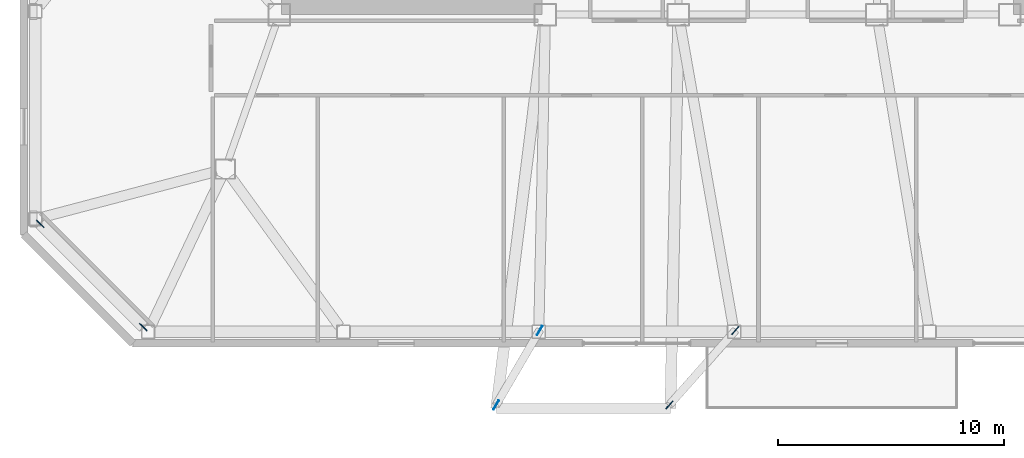
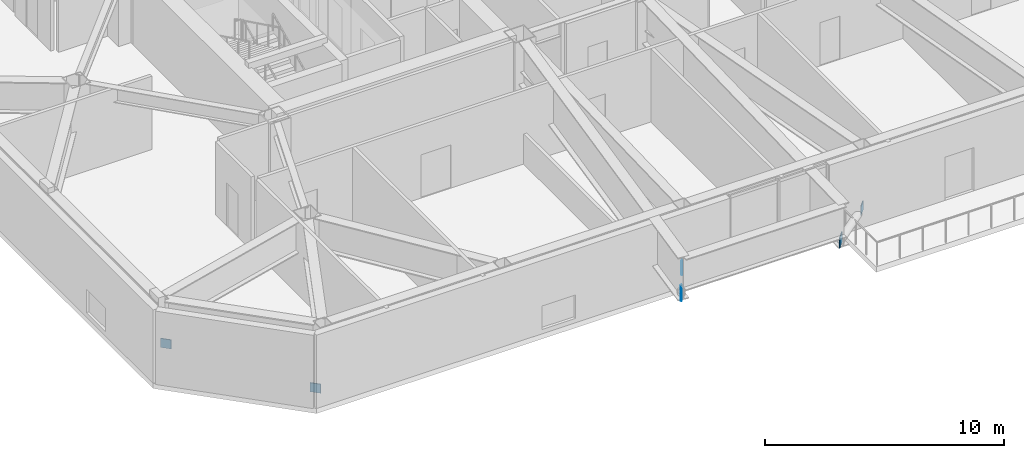
# One storey, part 14 of 18: 6 discrete accessories.
"""IFC4 building model written with IfcOpenShell, lengths in metres."""

from ifc_helpers import new_model, si_unit, direction, frame, origin, origin_2d, place, context, subcontext, project, spatial, rectangle, extrude, material, type_object, element, save


model = new_model("IFC4")

# Units and contexts
model_context = context("Model", 3, precision=1e-05, world=origin(), true_north=direction((0.0, 1.0)))
body_context = subcontext(model_context, "Body", "Model", "MODEL_VIEW")
ifc_project = project(units=[si_unit("LENGTHUNIT", "METRE"), si_unit("AREAUNIT", "SQUARE_METRE"), si_unit("VOLUMEUNIT", "CUBIC_METRE"), si_unit("PLANEANGLEUNIT", "RADIAN"), si_unit("MASSUNIT", "GRAM", prefix="KILO")], contexts=[model_context])

# Site, building, storey
site_placement = place(None, origin())
site = spatial("IfcSite", under=ifc_project, at=site_placement, CompositionType="ELEMENT")
building_placement = place(site_placement, origin())
building = spatial("IfcBuilding", under=site, at=building_placement, Name="Tavrogorsk Clinical Tower", CompositionType="ELEMENT")
storey_placement = place(building_placement, frame((0.0, 0.0, 152.199951171875)))
storey = spatial("IfcBuildingStorey", under=building, at=storey_placement, Name="L34", CompositionType="ELEMENT", Elevation=152.199951171875)

# Discrete accessories
ifc_material = material(Name="Structural steel S440", Category="steel")
discrete_accessory_type = type_object("IfcDiscreteAccessoryType", Name="GussetPlateBracket_25", PredefinedType="BRACKET", material=ifc_material)
for number, where, z_axis, x_axis, name in (
    (1, (-28.134765625, -20.205322265625, 0.12109375), (0.0, 0.0, 1.0), (-0.707106781187, 0.707106781187, 0.0), "L34 Brace Gusset Plate EXOCRN-L34-4-A"),
    (2, (-32.705322265625, -15.634765625, 1.208984375), (0.0, 0.0, 1.0), (-0.707106781187, 0.707106781187, 0.0), "L34 Brace Gusset Plate EXOCRN-L34-4-B"),
    (3, (-10.556396484375, -20.35498046875, 0.192626953125), (0.0, 0.0, 1.0), (-0.504075481823, -0.863659602288, 0.0), "L34 Brace Gusset Plate DRB-05-STRUT-L-L35-A"),
):
    element("IfcDiscreteAccessory", number, at=place(storey_placement, frame(where, z_axis=z_axis, x_axis=x_axis)), inside=storey, type_object=discrete_accessory_type, Name=name, PredefinedType="BRACKET", context=body_context, shape_type="SweptSolid", body=[
        extrude(rectangle(XDim=0.4599609375, YDim=0.0400390625, at=origin_2d()), origin(), (0.0, 0.0, 1.0), 0.4599609375),
    ])
discrete_accessory_1_placement = place(storey_placement, frame((-12.48779296875, -23.6650390625, 1.537353515625), z_axis=(0.0, 0.0, 1.0), x_axis=(-0.504075481823, -0.863659602288, 0.0)))
element("IfcDiscreteAccessory", 4, at=discrete_accessory_1_placement, inside=storey, type_object=discrete_accessory_type, Name="L34 Brace Gusset Plate DRB-05-STRUT-L-L35-B", PredefinedType="BRACKET", context=body_context, shape_type="SweptSolid", body=[
    extrude(rectangle(XDim=0.4599609375, YDim=0.0400390625, at=origin_2d()), origin(), (0.0, 0.0, 1.0), 0.56005859375),
])
discrete_accessory_2_placement = place(storey_placement, frame((-1.880859375, -20.36279296875, 0.196044921875), z_axis=(0.0, 0.0, 1.0), x_axis=(-0.66327338299, -0.748377190605, 0.0)))
element("IfcDiscreteAccessory", 5, at=discrete_accessory_2_placement, inside=storey, type_object=discrete_accessory_type, Name="L34 Brace Gusset Plate DRB-05-STRUT-R-L35-A", PredefinedType="BRACKET", context=body_context, shape_type="SweptSolid", body=[
    extrude(rectangle(XDim=0.4599609375, YDim=0.0400390625, at=origin_2d()), origin(), (0.0, 0.0, 1.0), 0.4599609375),
])
discrete_accessory_3_placement = place(storey_placement, frame((-4.800537109375, -23.656982421875, 1.5341796875), z_axis=(0.0, 0.0, 1.0), x_axis=(-0.66327338299, -0.748377190605, 0.0)))
element("IfcDiscreteAccessory", 6, at=discrete_accessory_3_placement, inside=storey, type_object=discrete_accessory_type, Name="L34 Brace Gusset Plate DRB-05-STRUT-R-L35-B", PredefinedType="BRACKET", context=body_context, shape_type="SweptSolid", body=[
    extrude(rectangle(XDim=0.4599609375, YDim=0.0400390625, at=origin_2d()), origin(), (0.0, 0.0, 1.0), 0.56005859375),
])

save(model, "model.ifc")
